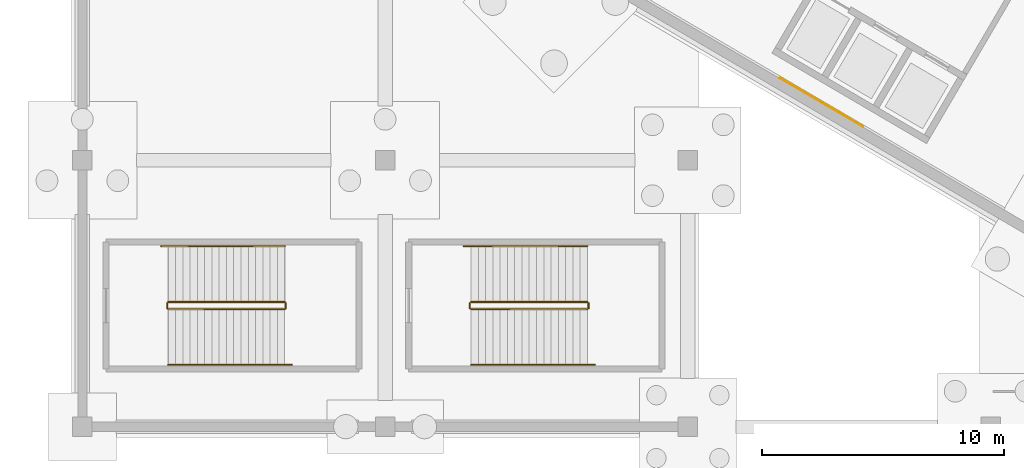
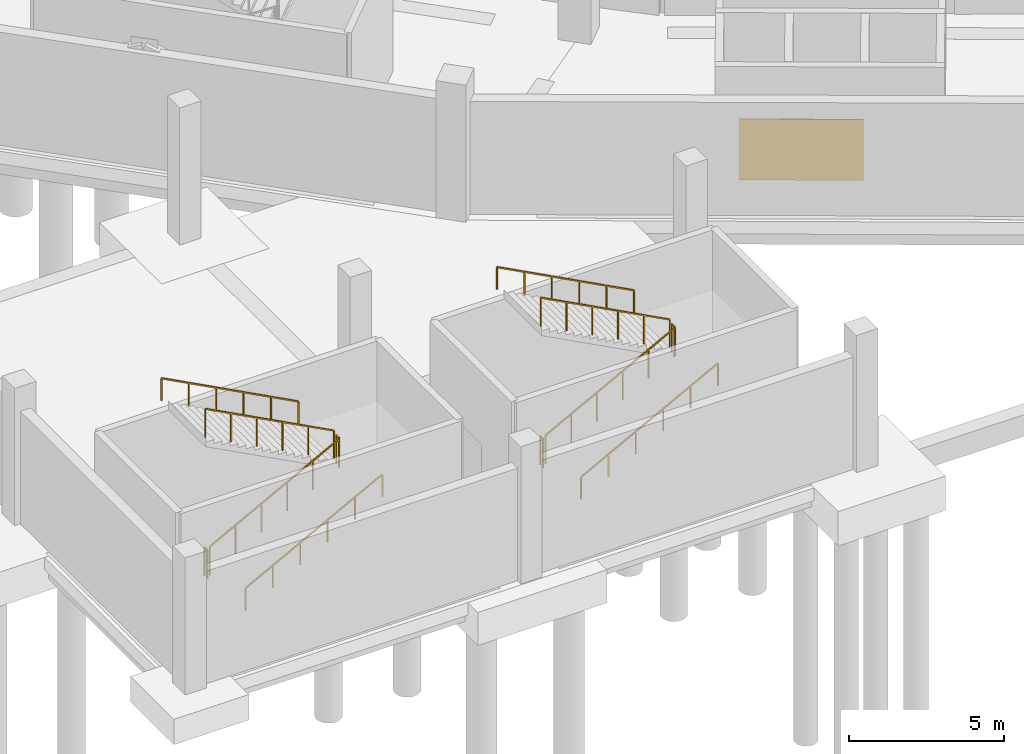
# One storey, part 52 of 74: 12 railings, 1 covering.
"""IFC4 building model written with IfcOpenShell, lengths in metres."""

from ifc_helpers import new_model, si_unit, direction, frame, origin, origin_2d, place, context, subcontext, project, spatial, rectangle, extrude, material, layer, layer_set, type_object, element, save


model = new_model("IFC4")

# Units and contexts
model_context = context("Model", 3, precision=1e-05, world=origin(), true_north=direction((0.0, 1.0)))
body_context = subcontext(model_context, "Body", "Model", "MODEL_VIEW")
ifc_project = project(units=[si_unit("LENGTHUNIT", "METRE"), si_unit("AREAUNIT", "SQUARE_METRE"), si_unit("VOLUMEUNIT", "CUBIC_METRE"), si_unit("PLANEANGLEUNIT", "RADIAN"), si_unit("MASSUNIT", "GRAM", prefix="KILO")], contexts=[model_context])

# Site, building, storey
site_placement = place(None, origin())
site = spatial("IfcSite", under=ifc_project, at=site_placement, CompositionType="ELEMENT")
building_placement = place(site_placement, origin())
building = spatial("IfcBuilding", under=site, at=building_placement, Name="Zlatoyarsky Gate Stadium", CompositionType="ELEMENT")
storey_placement = place(building_placement, frame((0.0, 0.0, -5.39990234375)))
storey = spatial("IfcBuildingStorey", under=building, at=storey_placement, Name="B1", CompositionType="ELEMENT", Elevation=-5.39990234375)

# Covering
ifc_material_1 = material(Name="Fire-retardant birch timber acoustic wall panel", Category="wood")
ifc_layer = layer(ifc_material_1, 0.034912109375)
ifc_layer_set = layer_set([ifc_layer], Name="Fire-retardant birch timber acoustic wall panel")
covering_type = type_object("IfcCoveringType", Name="FLUTED BIRCH ACOUSTIC WALL CLADDING 35", PredefinedType="CLADDING", material=ifc_layer_set)
covering_placement = place(storey_placement, frame((55.013427734375, 24.38720703125, 1.099853515625), z_axis=(0.0, 0.0, 1.0), x_axis=(0.862884547558, -0.505401085858, 0.0)))
element("IfcCovering", 1, at=covering_placement, inside=storey, type_object=covering_type, Name="B1 acoustic timber wall cladding 06", PredefinedType="CLADDING", context=body_context, shape_type="SweptSolid", body=[
    extrude(rectangle(XDim=4.0, YDim=0.034912109375, at=origin_2d()), origin(), (0.0, 0.0, 1.0), 2.39990234375),
])

# Railings
ifc_material_2 = material(Name="Powder-coated steel stair guardrail", Category="steel")
railing_type_1 = type_object("IfcRailingType", Name="PAINTED STEEL STAIR WELL GUARDRAIL 1150", PredefinedType="GUARDRAIL", material=ifc_material_2)
railing_1_placement = place(storey_placement, frame((28.050048828125, 15.85009765625, 0.15869140625)))
element("IfcRailing", 2, at=railing_1_placement, inside=storey, type_object=railing_type_1, Name="ST-21 B1 stair guard 1", PredefinedType="GUARDRAIL", context=body_context, shape_type="SweptSolid", body=[
    extrude(rectangle(XDim=0.048095703125, YDim=0.048095703125, at=origin_2d()), frame((0.0, 0.0, 1.1259765625), z_axis=(0.883783542688, 0.0, 0.467895981682), x_axis=(0.0, 1.0, 0.0)), (0.0, 0.0, 1.0), 5.43115234375),
    extrude(rectangle(XDim=0.0419921875, YDim=0.0419921875, at=origin_2d()), origin(), (0.0, 0.0, 1.0), 1.101806640625),
    extrude(rectangle(XDim=0.0419921875, YDim=0.0419921875, at=origin_2d()), frame((0.9599609375, 0.0, 0.50830078125)), (0.0, 0.0, 1.0), 1.101806640625),
    extrude(rectangle(XDim=0.0419921875, YDim=0.0419921875, at=origin_2d()), frame((1.919921875, 0.0, 1.0166015625)), (0.0, 0.0, 1.0), 1.101806640625),
    extrude(rectangle(XDim=0.0419921875, YDim=0.0419921875, at=origin_2d()), frame((2.880126953125, 0.0, 1.524658203125)), (0.0, 0.0, 1.0), 1.101806640625),
    extrude(rectangle(XDim=0.0419921875, YDim=0.0419921875, at=origin_2d()), frame((3.840087890625, 0.0, 2.032958984375)), (0.0, 0.0, 1.0), 1.101806640625),
    extrude(rectangle(XDim=0.0419921875, YDim=0.0419921875, at=origin_2d()), frame((4.800048828125, 0.0, 2.541259765625)), (0.0, 0.0, 1.0), 1.101806640625),
])
railing_2_placement = place(storey_placement, frame((32.89990234375, 15.89990234375, 2.699951171875)))
element("IfcRailing", 3, at=railing_2_placement, inside=storey, type_object=railing_type_1, Name="ST-21 B1 stair guard 2", PredefinedType="GUARDRAIL", context=body_context, shape_type="SweptSolid", body=[
    extrude(rectangle(XDim=0.048095703125, YDim=0.048095703125, at=origin_2d()), frame((0.0, 0.0, 1.1259765625), z_axis=(0.0, 1.0, 0.0), x_axis=(-1.0, 0.0, 0.0)), (0.0, 0.0, 1.0), 0.2001953125),
    extrude(rectangle(XDim=0.0419921875, YDim=0.0419921875, at=origin_2d()), origin(), (0.0, 0.0, 1.0), 1.101806640625),
    extrude(rectangle(XDim=0.0419921875, YDim=0.0419921875, at=origin_2d()), frame((0.0, 0.2001953125, 0.0)), (0.0, 0.0, 1.0), 1.101806640625),
])
railing_3_placement = place(storey_placement, frame((32.85009765625, 16.14990234375, 2.858642578125)))
element("IfcRailing", 4, at=railing_3_placement, inside=storey, type_object=railing_type_1, Name="ST-21 B1 stair guard 3", PredefinedType="GUARDRAIL", context=body_context, shape_type="SweptSolid", body=[
    extrude(rectangle(XDim=0.048095703125, YDim=0.048095703125, at=origin_2d()), frame((0.0, 0.0, 1.1259765625), z_axis=(-0.883783542688, 0.0, 0.467895981682), x_axis=(0.0, -1.0, 0.0)), (0.0, 0.0, 1.0), 5.43115234375),
    extrude(rectangle(XDim=0.0419921875, YDim=0.0419921875, at=origin_2d()), origin(), (0.0, 0.0, 1.0), 1.101806640625),
    extrude(rectangle(XDim=0.0419921875, YDim=0.0419921875, at=origin_2d()), frame((-0.9599609375, 0.0, 0.50830078125)), (0.0, 0.0, 1.0), 1.101806640625),
    extrude(rectangle(XDim=0.0419921875, YDim=0.0419921875, at=origin_2d()), frame((-1.919921875, 0.0, 1.0166015625)), (0.0, 0.0, 1.0), 1.101806640625),
    extrude(rectangle(XDim=0.0419921875, YDim=0.0419921875, at=origin_2d()), frame((-2.880126953125, 0.0, 1.524658203125)), (0.0, 0.0, 1.0), 1.101806640625),
    extrude(rectangle(XDim=0.0419921875, YDim=0.0419921875, at=origin_2d()), frame((-3.840087890625, 0.0, 2.032958984375)), (0.0, 0.0, 1.0), 1.101806640625),
    extrude(rectangle(XDim=0.0419921875, YDim=0.0419921875, at=origin_2d()), frame((-4.800048828125, 0.0, 2.541259765625)), (0.0, 0.0, 1.0), 1.101806640625),
])
railing_4_placement = place(storey_placement, frame((28.0, 15.89990234375, 0.0)))
element("IfcRailing", 5, at=railing_4_placement, inside=storey, type_object=railing_type_1, Name="ST-21 B1 stair guard 4", PredefinedType="GUARDRAIL", context=body_context, shape_type="SweptSolid", body=[
    extrude(rectangle(XDim=0.048095703125, YDim=0.048095703125, at=origin_2d()), frame((0.0, 0.0, 1.1259765625), z_axis=(0.0, 1.0, 0.0), x_axis=(-1.0, 0.0, 0.0)), (0.0, 0.0, 1.0), 0.2001953125),
    extrude(rectangle(XDim=0.0419921875, YDim=0.0419921875, at=origin_2d()), origin(), (0.0, 0.0, 1.0), 1.101806640625),
    extrude(rectangle(XDim=0.0419921875, YDim=0.0419921875, at=origin_2d()), frame((0.0, 0.2001953125, 0.0)), (0.0, 0.0, 1.0), 1.101806640625),
])
railing_5_placement = place(storey_placement, frame((40.550048828125, 15.85009765625, 0.15869140625)))
element("IfcRailing", 6, at=railing_5_placement, inside=storey, type_object=railing_type_1, Name="ST-22 B1 stair guard 1", PredefinedType="GUARDRAIL", context=body_context, shape_type="SweptSolid", body=[
    extrude(rectangle(XDim=0.048095703125, YDim=0.048095703125, at=origin_2d()), frame((0.0, 0.0, 1.1259765625), z_axis=(0.883783542688, 0.0, 0.467895981682), x_axis=(0.0, 1.0, 0.0)), (0.0, 0.0, 1.0), 5.43115234375),
    extrude(rectangle(XDim=0.0419921875, YDim=0.0419921875, at=origin_2d()), origin(), (0.0, 0.0, 1.0), 1.101806640625),
    extrude(rectangle(XDim=0.0419921875, YDim=0.0419921875, at=origin_2d()), frame((0.9599609375, 0.0, 0.50830078125)), (0.0, 0.0, 1.0), 1.101806640625),
    extrude(rectangle(XDim=0.0419921875, YDim=0.0419921875, at=origin_2d()), frame((1.919921875, 0.0, 1.0166015625)), (0.0, 0.0, 1.0), 1.101806640625),
    extrude(rectangle(XDim=0.0419921875, YDim=0.0419921875, at=origin_2d()), frame((2.880126953125, 0.0, 1.524658203125)), (0.0, 0.0, 1.0), 1.101806640625),
    extrude(rectangle(XDim=0.0419921875, YDim=0.0419921875, at=origin_2d()), frame((3.840087890625, 0.0, 2.032958984375)), (0.0, 0.0, 1.0), 1.101806640625),
    extrude(rectangle(XDim=0.0419921875, YDim=0.0419921875, at=origin_2d()), frame((4.800048828125, 0.0, 2.541259765625)), (0.0, 0.0, 1.0), 1.101806640625),
])
railing_6_placement = place(storey_placement, frame((45.39990234375, 15.89990234375, 2.699951171875)))
element("IfcRailing", 7, at=railing_6_placement, inside=storey, type_object=railing_type_1, Name="ST-22 B1 stair guard 2", PredefinedType="GUARDRAIL", context=body_context, shape_type="SweptSolid", body=[
    extrude(rectangle(XDim=0.048095703125, YDim=0.048095703125, at=origin_2d()), frame((0.0, 0.0, 1.1259765625), z_axis=(0.0, 1.0, 0.0), x_axis=(-1.0, 0.0, 0.0)), (0.0, 0.0, 1.0), 0.2001953125),
    extrude(rectangle(XDim=0.0419921875, YDim=0.0419921875, at=origin_2d()), origin(), (0.0, 0.0, 1.0), 1.101806640625),
    extrude(rectangle(XDim=0.0419921875, YDim=0.0419921875, at=origin_2d()), frame((0.0, 0.2001953125, 0.0)), (0.0, 0.0, 1.0), 1.101806640625),
])
railing_7_placement = place(storey_placement, frame((45.35009765625, 16.14990234375, 2.858642578125)))
element("IfcRailing", 8, at=railing_7_placement, inside=storey, type_object=railing_type_1, Name="ST-22 B1 stair guard 3", PredefinedType="GUARDRAIL", context=body_context, shape_type="SweptSolid", body=[
    extrude(rectangle(XDim=0.048095703125, YDim=0.048095703125, at=origin_2d()), frame((0.0, 0.0, 1.1259765625), z_axis=(-0.883783542688, 0.0, 0.467895981682), x_axis=(0.0, -1.0, 0.0)), (0.0, 0.0, 1.0), 5.43115234375),
    extrude(rectangle(XDim=0.0419921875, YDim=0.0419921875, at=origin_2d()), origin(), (0.0, 0.0, 1.0), 1.101806640625),
    extrude(rectangle(XDim=0.0419921875, YDim=0.0419921875, at=origin_2d()), frame((-0.9599609375, 0.0, 0.50830078125)), (0.0, 0.0, 1.0), 1.101806640625),
    extrude(rectangle(XDim=0.0419921875, YDim=0.0419921875, at=origin_2d()), frame((-1.919921875, 0.0, 1.0166015625)), (0.0, 0.0, 1.0), 1.101806640625),
    extrude(rectangle(XDim=0.0419921875, YDim=0.0419921875, at=origin_2d()), frame((-2.880126953125, 0.0, 1.524658203125)), (0.0, 0.0, 1.0), 1.101806640625),
    extrude(rectangle(XDim=0.0419921875, YDim=0.0419921875, at=origin_2d()), frame((-3.840087890625, 0.0, 2.032958984375)), (0.0, 0.0, 1.0), 1.101806640625),
    extrude(rectangle(XDim=0.0419921875, YDim=0.0419921875, at=origin_2d()), frame((-4.800048828125, 0.0, 2.541259765625)), (0.0, 0.0, 1.0), 1.101806640625),
])
railing_8_placement = place(storey_placement, frame((40.5, 15.89990234375, 0.0)))
element("IfcRailing", 9, at=railing_8_placement, inside=storey, type_object=railing_type_1, Name="ST-22 B1 stair guard 4", PredefinedType="GUARDRAIL", context=body_context, shape_type="SweptSolid", body=[
    extrude(rectangle(XDim=0.048095703125, YDim=0.048095703125, at=origin_2d()), frame((0.0, 0.0, 1.1259765625), z_axis=(0.0, 1.0, 0.0), x_axis=(-1.0, 0.0, 0.0)), (0.0, 0.0, 1.0), 0.2001953125),
    extrude(rectangle(XDim=0.0419921875, YDim=0.0419921875, at=origin_2d()), origin(), (0.0, 0.0, 1.0), 1.101806640625),
    extrude(rectangle(XDim=0.0419921875, YDim=0.0419921875, at=origin_2d()), frame((0.0, 0.2001953125, 0.0)), (0.0, 0.0, 1.0), 1.101806640625),
])
ifc_material_3 = material(Name="Brushed stainless steel 316 handrail", Category="steel")
railing_type_2 = type_object("IfcRailingType", Name="STAINLESS STEEL TUBULAR HANDRAIL 900", PredefinedType="HANDRAIL", material=ifc_material_3)
railing_9_placement = place(storey_placement, frame((28.050048828125, 13.550048828125, 0.162841796875)))
element("IfcRailing", 10, at=railing_9_placement, inside=storey, type_object=railing_type_2, Name="ST-21 B1 stair handrail 1", PredefinedType="HANDRAIL", context=body_context, shape_type="SweptSolid", body=[
    extrude(rectangle(XDim=0.048095703125, YDim=0.048095703125, at=origin_2d()), frame((0.0, 0.0, 0.8759765625), z_axis=(0.883785858079, 0.0, 0.467891608238), x_axis=(0.0, 1.0, 0.0)), (0.0, 0.0, 1.0), 5.7705078125),
    extrude(rectangle(XDim=0.0419921875, YDim=0.0419921875, at=origin_2d()), origin(), (0.0, 0.0, 1.0), 0.851806640625),
    extrude(rectangle(XDim=0.0419921875, YDim=0.0419921875, at=origin_2d()), frame((1.02001953125, 0.0, 0.5400390625)), (0.0, 0.0, 1.0), 0.851806640625),
    extrude(rectangle(XDim=0.0419921875, YDim=0.0419921875, at=origin_2d()), frame((2.0400390625, 0.0, 1.080078125)), (0.0, 0.0, 1.0), 0.851806640625),
    extrude(rectangle(XDim=0.0419921875, YDim=0.0419921875, at=origin_2d()), frame((3.059814453125, 0.0, 1.619873046875)), (0.0, 0.0, 1.0), 0.851806640625),
    extrude(rectangle(XDim=0.0419921875, YDim=0.0419921875, at=origin_2d()), frame((4.079833984375, 0.0, 2.159912109375)), (0.0, 0.0, 1.0), 0.851806640625),
    extrude(rectangle(XDim=0.0419921875, YDim=0.0419921875, at=origin_2d()), frame((5.099853515625, 0.0, 2.699951171875)), (0.0, 0.0, 1.0), 0.851806640625),
])
railing_10_placement = place(storey_placement, frame((32.85009765625, 18.449951171875, 2.86279296875)))
element("IfcRailing", 11, at=railing_10_placement, inside=storey, type_object=railing_type_2, Name="ST-21 B1 stair handrail 2", PredefinedType="HANDRAIL", context=body_context, shape_type="SweptSolid", body=[
    extrude(rectangle(XDim=0.048095703125, YDim=0.048095703125, at=origin_2d()), frame((0.0, 0.0, 0.8759765625), z_axis=(-0.883795119882, 0.0, 0.467874113489), x_axis=(0.0, -1.0, 0.0)), (0.0, 0.0, 1.0), 5.770751953125),
    extrude(rectangle(XDim=0.0419921875, YDim=0.0419921875, at=origin_2d()), origin(), (0.0, 0.0, 1.0), 0.851806640625),
    extrude(rectangle(XDim=0.0419921875, YDim=0.0419921875, at=origin_2d()), frame((-1.02001953125, 0.0, 0.5400390625)), (0.0, 0.0, 1.0), 0.851806640625),
    extrude(rectangle(XDim=0.0419921875, YDim=0.0419921875, at=origin_2d()), frame((-2.0400390625, 0.0, 1.080078125)), (0.0, 0.0, 1.0), 0.851806640625),
    extrude(rectangle(XDim=0.0419921875, YDim=0.0419921875, at=origin_2d()), frame((-3.06005859375, 0.0, 1.619873046875)), (0.0, 0.0, 1.0), 0.851806640625),
    extrude(rectangle(XDim=0.0419921875, YDim=0.0419921875, at=origin_2d()), frame((-4.080078125, 0.0, 2.159912109375)), (0.0, 0.0, 1.0), 0.851806640625),
    extrude(rectangle(XDim=0.0419921875, YDim=0.0419921875, at=origin_2d()), frame((-5.10009765625, 0.0, 2.699951171875)), (0.0, 0.0, 1.0), 0.851806640625),
])
railing_11_placement = place(storey_placement, frame((40.550048828125, 13.550048828125, 0.162841796875)))
element("IfcRailing", 12, at=railing_11_placement, inside=storey, type_object=railing_type_2, Name="ST-22 B1 stair handrail 1", PredefinedType="HANDRAIL", context=body_context, shape_type="SweptSolid", body=[
    extrude(rectangle(XDim=0.048095703125, YDim=0.048095703125, at=origin_2d()), frame((0.0, 0.0, 0.8759765625), z_axis=(0.883785858079, 0.0, 0.467891608238), x_axis=(0.0, 1.0, 0.0)), (0.0, 0.0, 1.0), 5.7705078125),
    extrude(rectangle(XDim=0.0419921875, YDim=0.0419921875, at=origin_2d()), origin(), (0.0, 0.0, 1.0), 0.851806640625),
    extrude(rectangle(XDim=0.0419921875, YDim=0.0419921875, at=origin_2d()), frame((1.02001953125, 0.0, 0.5400390625)), (0.0, 0.0, 1.0), 0.851806640625),
    extrude(rectangle(XDim=0.0419921875, YDim=0.0419921875, at=origin_2d()), frame((2.0400390625, 0.0, 1.080078125)), (0.0, 0.0, 1.0), 0.851806640625),
    extrude(rectangle(XDim=0.0419921875, YDim=0.0419921875, at=origin_2d()), frame((3.059814453125, 0.0, 1.619873046875)), (0.0, 0.0, 1.0), 0.851806640625),
    extrude(rectangle(XDim=0.0419921875, YDim=0.0419921875, at=origin_2d()), frame((4.079833984375, 0.0, 2.159912109375)), (0.0, 0.0, 1.0), 0.851806640625),
    extrude(rectangle(XDim=0.0419921875, YDim=0.0419921875, at=origin_2d()), frame((5.099853515625, 0.0, 2.699951171875)), (0.0, 0.0, 1.0), 0.851806640625),
])
railing_12_placement = place(storey_placement, frame((45.35009765625, 18.449951171875, 2.86279296875)))
element("IfcRailing", 13, at=railing_12_placement, inside=storey, type_object=railing_type_2, Name="ST-22 B1 stair handrail 2", PredefinedType="HANDRAIL", context=body_context, shape_type="SweptSolid", body=[
    extrude(rectangle(XDim=0.048095703125, YDim=0.048095703125, at=origin_2d()), frame((0.0, 0.0, 0.8759765625), z_axis=(-0.883795119882, 0.0, 0.467874113489), x_axis=(0.0, -1.0, 0.0)), (0.0, 0.0, 1.0), 5.770751953125),
    extrude(rectangle(XDim=0.0419921875, YDim=0.0419921875, at=origin_2d()), origin(), (0.0, 0.0, 1.0), 0.851806640625),
    extrude(rectangle(XDim=0.0419921875, YDim=0.0419921875, at=origin_2d()), frame((-1.02001953125, 0.0, 0.5400390625)), (0.0, 0.0, 1.0), 0.851806640625),
    extrude(rectangle(XDim=0.0419921875, YDim=0.0419921875, at=origin_2d()), frame((-2.0400390625, 0.0, 1.080078125)), (0.0, 0.0, 1.0), 0.851806640625),
    extrude(rectangle(XDim=0.0419921875, YDim=0.0419921875, at=origin_2d()), frame((-3.06005859375, 0.0, 1.619873046875)), (0.0, 0.0, 1.0), 0.851806640625),
    extrude(rectangle(XDim=0.0419921875, YDim=0.0419921875, at=origin_2d()), frame((-4.080078125, 0.0, 2.159912109375)), (0.0, 0.0, 1.0), 0.851806640625),
    extrude(rectangle(XDim=0.0419921875, YDim=0.0419921875, at=origin_2d()), frame((-5.10009765625, 0.0, 2.699951171875)), (0.0, 0.0, 1.0), 0.851806640625),
])

save(model, "model.ifc")
